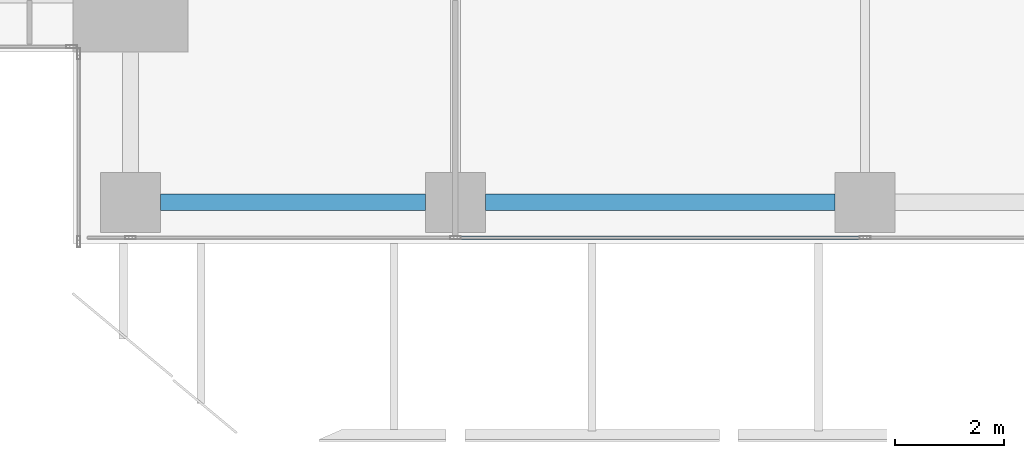
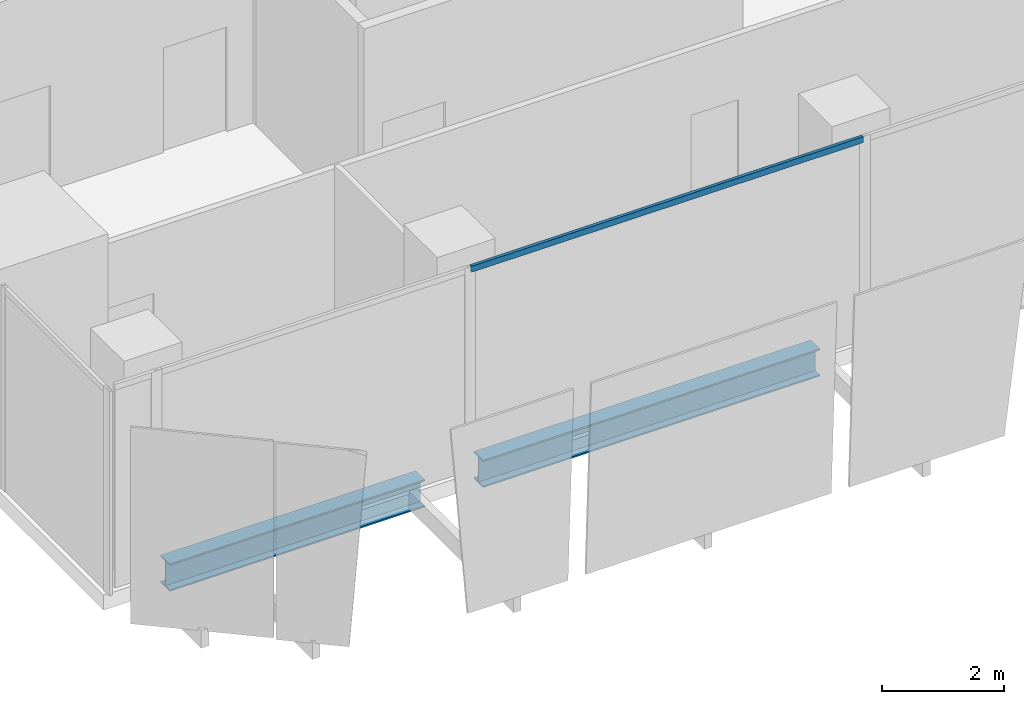
# One storey, part 3 of 34: 2 beams, 1 member, 1 element without a shape of its own.
"""IFC4 building model written with IfcOpenShell, lengths in metres."""

from ifc_helpers import new_model, si_unit, direction, frame, origin, origin_2d, place, context, subcontext, project, spatial, hollow_rectangle, i_section, extrude, source, transform, mapped, material, material_profile, profile_set, type_object, element, aggregate, save


model = new_model("IFC4")

# Units and contexts
model_context = context("Model", 3, precision=1e-05, world=origin(), true_north=direction((0.0, 1.0)))
body_context = subcontext(model_context, "Body", "Model", "MODEL_VIEW")
ifc_project = project(units=[si_unit("LENGTHUNIT", "METRE"), si_unit("AREAUNIT", "SQUARE_METRE"), si_unit("VOLUMEUNIT", "CUBIC_METRE"), si_unit("PLANEANGLEUNIT", "RADIAN"), si_unit("MASSUNIT", "GRAM", prefix="KILO")], contexts=[model_context])

# Site, building, storey
site_placement = place(None, origin())
site = spatial("IfcSite", under=ifc_project, at=site_placement, CompositionType="ELEMENT")
building_placement = place(site_placement, origin())
building = spatial("IfcBuilding", under=site, at=building_placement, Name="Khomas Fold Tower", CompositionType="ELEMENT")
storey_placement = place(building_placement, frame((0.0, 0.0, 154.300048828125)))
storey = spatial("IfcBuildingStorey", under=building, at=storey_placement, Name="L33", CompositionType="ELEMENT", Elevation=154.300048828125)

# Beams
ifc_material_1 = material(Name="Steel S355", Category="steel")
ifc_material_profile_1 = material_profile(ifc_material_1, i_section(OverallWidth=0.300048828125, OverallDepth=0.550048828125, WebThickness=0.014892578125, FlangeThickness=0.029052734375, at=origin_2d()), Name="HE 550 B")
ifc_profile_set_1 = profile_set([ifc_material_profile_1], Name="Steel S355")
beam_type = type_object("IfcBeamType", Name="HE 550 B spandrel SB2", PredefinedType="SPANDREL", material=ifc_profile_set_1)
shared_shape_1 = source(origin(), body_context, "Body", "SweptSolid", [
    extrude(i_section(OverallWidth=0.300048828125, OverallDepth=0.550048828125, WebThickness=0.014892578125, FlangeThickness=0.029052734375, at=origin_2d()), origin(), (0.0, 0.0, 1.0), 4.849853515625),
])
beam_1_placement = place(storey_placement, frame((6.60009765625, 2.25, -0.574951171875), z_axis=(1.0, 0.0, 0.0), x_axis=(0.0, 1.0, 0.0)))
element("IfcBeam", 1, at=beam_1_placement, inside=storey, type_object=beam_type, Name="SB2", PredefinedType="SPANDREL", context=body_context, shape_type="MappedRepresentation", body=[
    mapped(shared_shape_1, transform((0.0, 0.0, 0.0))),
])
shared_shape_2 = source(origin(), body_context, "Body", "SweptSolid", [
    extrude(i_section(OverallWidth=0.300048828125, OverallDepth=0.550048828125, WebThickness=0.014892578125, FlangeThickness=0.029052734375, at=origin_2d()), origin(), (0.0, 0.0, 1.0), 6.39990234375),
])
beam_2_placement = place(storey_placement, frame((12.550048828125, 2.25, -0.574951171875), z_axis=(1.0, 0.0, 0.0), x_axis=(0.0, 1.0, 0.0)))
element("IfcBeam", 2, at=beam_2_placement, inside=storey, type_object=beam_type, Name="SB2", PredefinedType="SPANDREL", context=body_context, shape_type="MappedRepresentation", body=[
    mapped(shared_shape_2, transform((0.0, 0.0, 0.0))),
])

# Curtain wall, member
ifc_material_2 = material(Name="Aluminium framed double glazing", Category="aluminium")
curtain_wall_type = type_object("IfcCurtainWallType", Name="SK-Unitised clear-glass wall, growing floors CW1", PredefinedType="NOTDEFINED", material=ifc_material_2)
curtain_wall_placement = place(storey_placement, origin())
curtain_wall = element("IfcCurtainWall", 3, at=curtain_wall_placement, inside=storey, type_object=curtain_wall_type, Name="CW1 run L33 00-0", PredefinedType="NOTDEFINED")
ifc_material_3 = material(Name="Aluminium", Category="aluminium")
ifc_material_profile_2 = material_profile(ifc_material_3, hollow_rectangle(XDim=0.06005859375, YDim=0.1201171875, WallThickness=0.00390625, at=origin_2d()), Name="SK-Unitised clear-glass wall, growing floors transom CW1-T")
ifc_profile_set_2 = profile_set([ifc_material_profile_2], Name="Aluminium")
member_type = type_object("IfcMemberType", Name="SK-Unitised clear-glass wall, growing floors transom CW1-T", PredefinedType="USERDEFINED", material=ifc_profile_set_2)
shared_shape_3 = source(origin(), body_context, "Body", "SweptSolid", [
    extrude(hollow_rectangle(XDim=0.06005859375, YDim=0.1201171875, WallThickness=0.00390625, at=origin_2d()), origin(), (0.0, 0.0, 1.0), 7.43994140625),
])
member_placement = place(storey_placement, frame((12.030029296875, 1.60009765625, 4.0400390625), z_axis=(1.0, 0.0, 0.0), x_axis=(0.0, 1.0, 0.0)))
member = element("IfcMember", 4, at=member_placement, type_object=member_type, Name="CW1 transom 3", ObjectType="TRANSOM", PredefinedType="USERDEFINED", context=body_context, shape_type="MappedRepresentation", body=[
    mapped(shared_shape_3, transform((0.0, 0.0, 0.0))),
])
aggregate(curtain_wall, [member])

save(model, "model.ifc")
